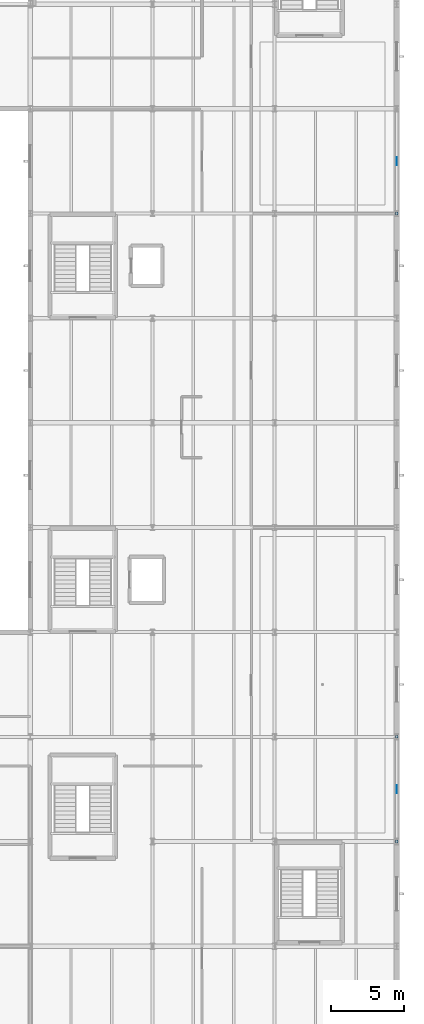
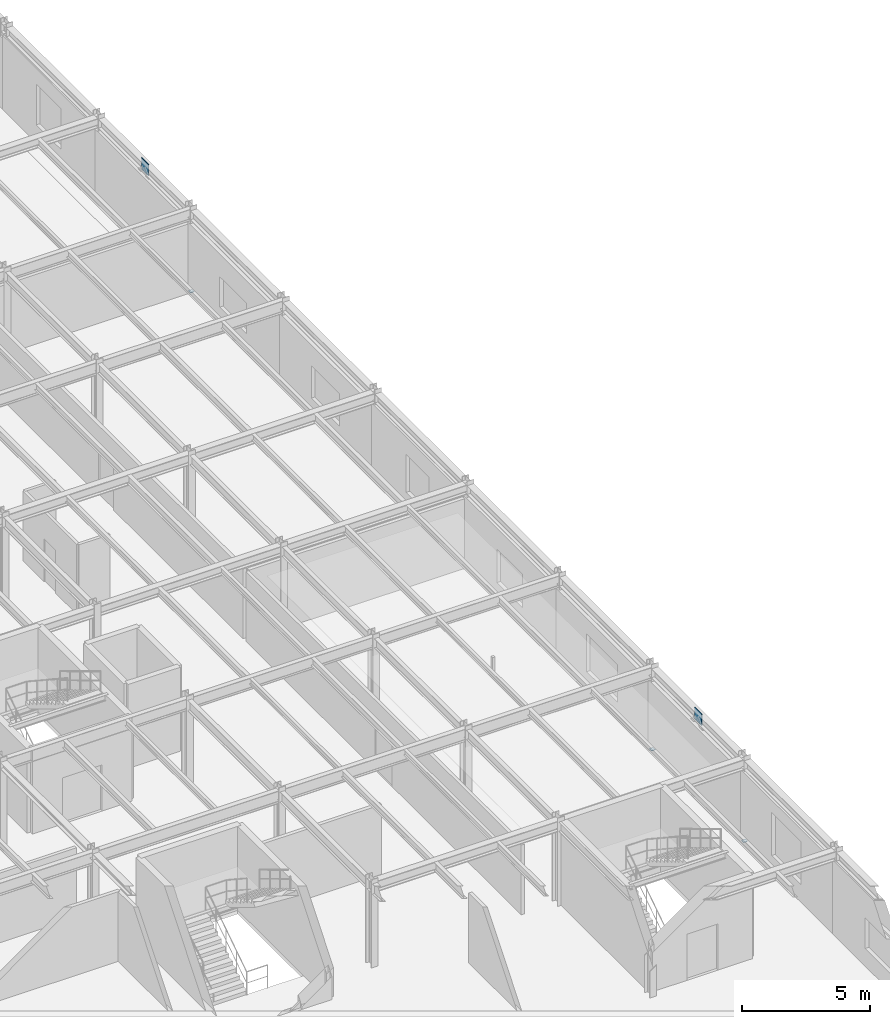
# One storey, part 61 of 109: 5 plates.
"""IFC4 building model written with IfcOpenShell, lengths in metres."""

from ifc_helpers import new_model, si_unit, derived_unit, direction, frame, origin, origin_2d, place, context, subcontext, project, spatial, rectangle, extrude, material, layer, layer_set, type_object, element, save


model = new_model("IFC4")

# Units and contexts
model_context = context("Model", 3, precision=1e-05, world=origin(), true_north=direction((0.0, 1.0)))
body_context = subcontext(model_context, "Body", "Model", "MODEL_VIEW")
ifc_project = project(units=[si_unit("LENGTHUNIT", "METRE"), si_unit("AREAUNIT", "SQUARE_METRE"), si_unit("VOLUMEUNIT", "CUBIC_METRE"), si_unit("PLANEANGLEUNIT", "RADIAN"), si_unit("MASSUNIT", "GRAM", prefix="KILO"), derived_unit("THERMALTRANSMITTANCEUNIT", [(si_unit("MASSUNIT", "GRAM", prefix="KILO"), 1), (si_unit("TIMEUNIT", "SECOND"), -3), (si_unit("THERMODYNAMICTEMPERATUREUNIT", "KELVIN"), -1)])], contexts=[model_context])

# Site, building, storey
site_placement = place(None, origin())
site = spatial("IfcSite", under=ifc_project, at=site_placement, CompositionType="ELEMENT")
building_placement = place(site_placement, origin())
building = spatial("IfcBuilding", under=site, at=building_placement, Name="Kharveza Railside Sports Centre", CompositionType="ELEMENT")
storey_placement = place(building_placement, frame((0.0, 0.0, 4.5)))
storey = spatial("IfcBuildingStorey", under=building, at=storey_placement, Name="L01", CompositionType="ELEMENT", Elevation=4.5)

# Plates
ifc_material = material(Name="Steel S355J2", Category="steel")
ifc_layer_1 = layer(ifc_material, 0.02001953125, Name="Steel S355J2")
ifc_layer_set_1 = layer_set([ifc_layer_1], Name="Steel S355J2")
plate_type_1 = type_object("IfcPlateType", Name="PL-EC10", PredefinedType="USERDEFINED", material=ifc_layer_set_1)
for number, where, z_axis, x_axis, name in (
    (1, (168.0, 21.60009765625, -0.010009765625), (0.0, 0.0, 1.0), (1.0, 0.0, 0.0), "PLT-EC-168"),
    (2, (168.0, 28.800048828125, -0.010009765625), (0.0, 0.0, 1.0), (1.0, 0.0, 0.0), "PLT-EC-169"),
    (3, (168.0, 64.800048828125, -0.010009765625), (0.0, 0.0, 1.0), (1.0, 0.0, 0.0), "PLT-EC-174"),
):
    element("IfcPlate", number, at=place(storey_placement, frame(where, z_axis=z_axis, x_axis=x_axis)), inside=storey, type_object=plate_type_1, Name=name, ObjectType="END_CAP_PLATE", PredefinedType="USERDEFINED", context=body_context, shape_type="SweptSolid", body=[
        extrude(rectangle(XDim=0.179931640625, YDim=0.179931640625, at=origin_2d()), origin(), (0.0, 0.0, 1.0), 0.02001953125),
    ])
ifc_layer_2 = layer(ifc_material, 0.028076171875, Name="Steel S355J2")
ifc_layer_set_2 = layer_set([ifc_layer_2], Name="Steel S355J2")
plate_type_2 = type_object("IfcPlateType", Name="PL-GS05", PredefinedType="USERDEFINED", material=ifc_layer_set_2)
for number, where, z_axis, x_axis, name in (
    (4, (168.0, 25.199951171875, 3.469970703125), (0.0, 0.0, 1.0), (1.0, 0.0, 0.0), "PLT-GS-CHEVN-015"),
    (5, (168.0, 68.39990234375, 3.469970703125), (0.0, 0.0, 1.0), (1.0, 0.0, 0.0), "PLT-GS-CHEVN-019"),
):
    element("IfcPlate", number, at=place(storey_placement, frame(where, z_axis=z_axis, x_axis=x_axis)), inside=storey, type_object=plate_type_2, Name=name, ObjectType="GUSSET_PLATE", PredefinedType="USERDEFINED", context=body_context, shape_type="SweptSolid", body=[
        extrude(rectangle(XDim=0.028076171875, YDim=0.56005859375, at=origin_2d()), origin(), (0.0, 0.0, 1.0), 0.56005859375),
    ])

save(model, "model.ifc")
